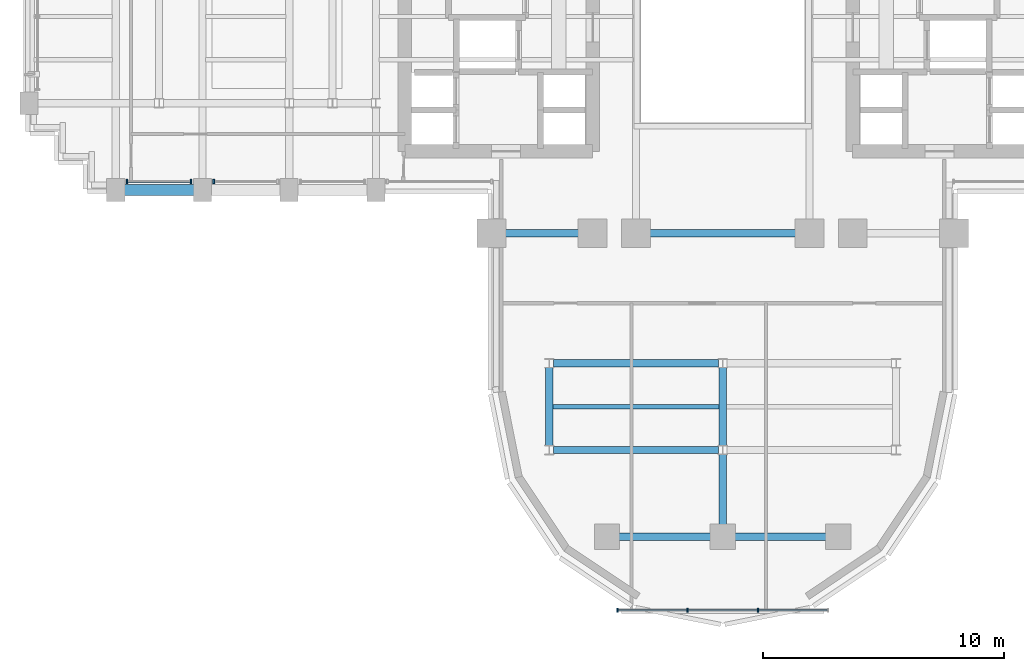
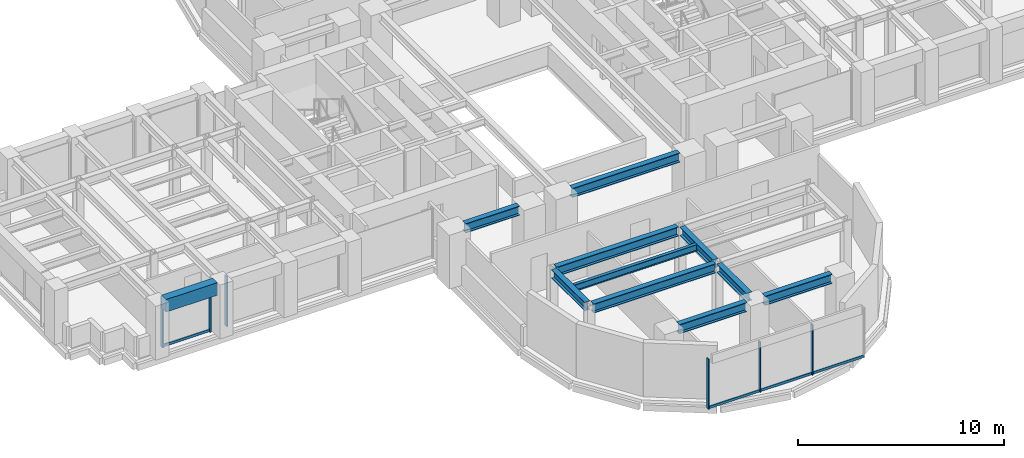
# One storey, part 3 of 16: 11 beams, 10 members, 3 elements without a shape of their own.
"""IFC4 building model written with IfcOpenShell, lengths in metres."""

from ifc_helpers import new_model, si_unit, direction, frame, origin, origin_2d, place, context, subcontext, project, spatial, rectangle, i_section, extrude, source, transform, mapped, material, material_profile, profile_set, type_object, element, aggregate, save


model = new_model("IFC4")

# Units and contexts
model_context = context("Model", 3, precision=1e-05, world=origin(), true_north=direction((0.0, 1.0)))
body_context = subcontext(model_context, "Body", "Model", "MODEL_VIEW")
ifc_project = project(units=[si_unit("LENGTHUNIT", "METRE"), si_unit("AREAUNIT", "SQUARE_METRE"), si_unit("VOLUMEUNIT", "CUBIC_METRE"), si_unit("PLANEANGLEUNIT", "RADIAN"), si_unit("MASSUNIT", "GRAM", prefix="KILO")], contexts=[model_context])

# Site, building, storey
site_placement = place(None, origin())
site = spatial("IfcSite", under=ifc_project, at=site_placement, CompositionType="ELEMENT")
building_placement = place(site_placement, origin())
building = spatial("IfcBuilding", under=site, at=building_placement, Name="Keilestroom Media Tower", CompositionType="ELEMENT")
storey_placement = place(building_placement, frame((0.0, 0.0, 51.0)))
storey = spatial("IfcBuildingStorey", under=building, at=storey_placement, Name="L12", CompositionType="ELEMENT", Elevation=51.0)

# Beams
ifc_material_1 = material(Name="Steel S355", Category="steel")
ifc_material_profile_1 = material_profile(ifc_material_1, i_section(OverallWidth=0.300048828125, OverallDepth=0.550048828125, WebThickness=0.012939453125, FlangeThickness=0.029052734375, at=origin_2d()), Name="HEB 550")
ifc_profile_set_1 = profile_set([ifc_material_profile_1], Name="Steel S355")
beam_type_1 = type_object("IfcBeamType", Name="Primary-Structural-Girder-HEB-550", PredefinedType="BEAM", material=ifc_profile_set_1)
shared_shape_1 = source(origin(), body_context, "Body", "SweptSolid", [
    extrude(i_section(OverallWidth=0.300048828125, OverallDepth=0.550048828125, WebThickness=0.012939453125, FlangeThickness=0.029052734375, at=origin_2d()), origin(), (0.0, 0.0, 1.0), 3.7900390625),
])
for number, where, z_axis, x_axis, name in (
    (1, (-4.294921875, -21.60009765625, 2.925048828125), (1.0, 0.0, 0.0), (0.0, 1.0, 0.0), "L12 Beam BG-5 BM-L12-EW-001"),
    (2, (0.5048828125, -21.60009765625, 2.925048828125), (1.0, 0.0, 0.0), (0.0, 1.0, 0.0), "L12 Beam BG-5 BM-L12-EW-002"),
):
    element("IfcBeam", number, at=place(storey_placement, frame(where, z_axis=z_axis, x_axis=x_axis)), inside=storey, type_object=beam_type_1, Name=name, PredefinedType="BEAM", context=body_context, shape_type="MappedRepresentation", body=[
        mapped(shared_shape_1, transform((0.0, 0.0, 0.0), x_axis=(1.0, 0.0, 0.0), y_axis=(0.0, 1.0, 0.0), z_axis=(0.0, 0.0, 1.0), scale=1.0)),
    ])
shared_shape_2 = source(origin(), body_context, "Body", "SweptSolid", [
    extrude(i_section(OverallWidth=0.300048828125, OverallDepth=0.550048828125, WebThickness=0.012939453125, FlangeThickness=0.029052734375, at=origin_2d()), origin(), (0.0, 0.0, 1.0), 6.836181640625),
])
for number, where, z_axis, x_axis, name in (
    (3, (-7.01806640625, -18.0, 2.925048828125), (1.0, 0.0, 0.0), (0.0, 1.0, 0.0), "L12 Beam BG-5 BM-L12-EW-003"),
    (4, (-7.01806640625, -14.39990234375, 2.925048828125), (1.0, 0.0, 0.0), (0.0, 1.0, 0.0), "L12 Beam BG-5 BM-L12-EW-005"),
):
    element("IfcBeam", number, at=place(storey_placement, frame(where, z_axis=z_axis, x_axis=x_axis)), inside=storey, type_object=beam_type_1, Name=name, PredefinedType="BEAM", context=body_context, shape_type="MappedRepresentation", body=[
        mapped(shared_shape_2, transform((0.0, 0.0, 0.0), x_axis=(1.0, 0.0, 0.0), y_axis=(0.0, 1.0, 0.0), z_axis=(0.0, 0.0, 1.0), scale=1.0)),
    ])
shared_shape_3 = source(origin(), body_context, "Body", "SweptSolid", [
    extrude(i_section(OverallWidth=0.300048828125, OverallDepth=0.550048828125, WebThickness=0.012939453125, FlangeThickness=0.029052734375, at=origin_2d()), origin(), (0.0, 0.0, 1.0), 3.0400390625),
])
beam_1_placement = place(storey_placement, frame((-9.02001953125, -9.0, 2.925048828125), z_axis=(1.0, 0.0, 0.0), x_axis=(0.0, 1.0, 0.0)))
element("IfcBeam", 5, at=beam_1_placement, inside=storey, type_object=beam_type_1, Name="L12 Beam BG-5 BM-L12-EW-007", PredefinedType="BEAM", context=body_context, shape_type="MappedRepresentation", body=[
    mapped(shared_shape_3, transform((0.0, 0.0, 0.0), x_axis=(1.0, 0.0, 0.0), y_axis=(0.0, 1.0, 0.0), z_axis=(0.0, 0.0, 1.0), scale=1.0)),
])
shared_shape_4 = source(origin(), body_context, "Body", "SweptSolid", [
    extrude(i_section(OverallWidth=0.300048828125, OverallDepth=0.550048828125, WebThickness=0.012939453125, FlangeThickness=0.029052734375, at=origin_2d()), origin(), (0.0, 0.0, 1.0), 6.0400390625),
])
beam_2_placement = place(storey_placement, frame((-3.02001953125, -9.0, 2.925048828125), z_axis=(1.0, 0.0, 0.0), x_axis=(0.0, 1.0, 0.0)))
element("IfcBeam", 6, at=beam_2_placement, inside=storey, type_object=beam_type_1, Name="L12 Beam BG-5 BM-L12-EW-009", PredefinedType="BEAM", context=body_context, shape_type="MappedRepresentation", body=[
    mapped(shared_shape_4, transform((0.0, 0.0, 0.0), x_axis=(1.0, 0.0, 0.0), y_axis=(0.0, 1.0, 0.0), z_axis=(0.0, 0.0, 1.0), scale=1.0)),
])
ifc_material_2 = material(Name="Precast concrete C40/50", Category="concrete")
ifc_material_profile_2 = material_profile(ifc_material_2, rectangle(XDim=0.449951171875, YDim=0.75, at=origin_2d()), Name="PC 450x750")
ifc_profile_set_2 = profile_set([ifc_material_profile_2], Name="Precast concrete C40/50")
beam_type_2 = type_object("IfcBeamType", Name="Perimeter-Spandrel-Beam-PC-450x750", PredefinedType="SPANDREL", material=ifc_profile_set_2)
shared_shape_5 = source(origin(), body_context, "Body", "SweptSolid", [
    extrude(rectangle(XDim=0.449951171875, YDim=0.75, at=origin_2d()), origin(), (0.0, 0.0, 1.0), 2.889892578125),
])
beam_3_placement = place(storey_placement, frame((-24.844970703125, -7.199951171875, 2.824951171875), z_axis=(1.0, 0.0, 0.0), x_axis=(0.0, 1.0, 0.0)))
element("IfcBeam", 7, at=beam_3_placement, inside=storey, type_object=beam_type_2, Name="L12 Beam SPB-1 BM-L12-EW-012", PredefinedType="SPANDREL", context=body_context, shape_type="MappedRepresentation", body=[
    mapped(shared_shape_5, transform((0.0, 0.0, 0.0), x_axis=(1.0, 0.0, 0.0), y_axis=(0.0, 1.0, 0.0), z_axis=(0.0, 0.0, 1.0), scale=1.0)),
])
ifc_material_profile_3 = material_profile(ifc_material_1, i_section(OverallWidth=0.300048828125, OverallDepth=0.5, WebThickness=0.012451171875, FlangeThickness=0.028076171875, at=origin_2d()), Name="HEB 500")
ifc_profile_set_3 = profile_set([ifc_material_profile_3], Name="Steel S355")
beam_type_3 = type_object("IfcBeamType", Name="Primary-Structural-Girder-HEB-500", PredefinedType="BEAM", material=ifc_profile_set_3)
shared_shape_6 = source(origin(), body_context, "Body", "SweptSolid", [
    extrude(i_section(OverallWidth=0.300048828125, OverallDepth=0.5, WebThickness=0.012451171875, FlangeThickness=0.028076171875, at=origin_2d()), origin(), (0.0, 0.0, 1.0), 3.23291015625),
])
for number, where, z_axis, x_axis, name in (
    (8, (-7.199951171875, -17.81640625, 2.949951171875), (0.0, 1.0, 0.0), (-1.0, 0.0, 0.0), "L12 Beam BG-6 BM-L12-NS-063"),
    (9, (0.0, -17.81640625, 2.949951171875), (0.0, 1.0, 0.0), (-1.0, 0.0, 0.0), "L12 Beam BG-6 BM-L12-NS-068"),
):
    element("IfcBeam", number, at=place(storey_placement, frame(where, z_axis=z_axis, x_axis=x_axis)), inside=storey, type_object=beam_type_3, Name=name, PredefinedType="BEAM", context=body_context, shape_type="MappedRepresentation", body=[
        mapped(shared_shape_6, transform((0.0, 0.0, 0.0), x_axis=(1.0, 0.0, 0.0), y_axis=(0.0, 1.0, 0.0), z_axis=(0.0, 0.0, 1.0), scale=1.0)),
    ])
shared_shape_7 = source(origin(), body_context, "Body", "SweptSolid", [
    extrude(i_section(OverallWidth=0.300048828125, OverallDepth=0.5, WebThickness=0.012451171875, FlangeThickness=0.028076171875, at=origin_2d()), origin(), (0.0, 0.0, 1.0), 2.911376953125),
])
beam_4_placement = place(storey_placement, frame((0.0, -21.094970703125, 2.949951171875), z_axis=(0.0, 1.0, 0.0), x_axis=(-1.0, 0.0, 0.0)))
element("IfcBeam", 10, at=beam_4_placement, inside=storey, type_object=beam_type_3, Name="L12 Beam BG-6 BM-L12-NS-067", PredefinedType="BEAM", context=body_context, shape_type="MappedRepresentation", body=[
    mapped(shared_shape_7, transform((0.0, 0.0, 0.0), x_axis=(1.0, 0.0, 0.0), y_axis=(0.0, 1.0, 0.0), z_axis=(0.0, 0.0, 1.0), scale=1.0)),
])
ifc_material_profile_4 = material_profile(ifc_material_1, i_section(OverallWidth=0.179931640625, OverallDepth=0.39990234375, WebThickness=0.008544921875, FlangeThickness=0.013427734375, at=origin_2d()), Name="IPE 400")
ifc_profile_set_4 = profile_set([ifc_material_profile_4], Name="Steel S355")
beam_type_4 = type_object("IfcBeamType", Name="Secondary-Floor-Joist-IPE-400", PredefinedType="JOIST", material=ifc_profile_set_4)
shared_shape_8 = source(origin(), body_context, "Body", "SweptSolid", [
    extrude(i_section(OverallWidth=0.179931640625, OverallDepth=0.39990234375, WebThickness=0.008544921875, FlangeThickness=0.013427734375, at=origin_2d()), origin(), (0.0, 0.0, 1.0), 6.940185546875),
])
beam_5_placement = place(storey_placement, frame((-7.070068359375, -16.199951171875, 3.0), z_axis=(1.0, 0.0, 0.0), x_axis=(0.0, 1.0, 0.0)))
element("IfcBeam", 11, at=beam_5_placement, inside=storey, type_object=beam_type_4, Name="L12 Beam BJ-4 JST-L12-087", PredefinedType="JOIST", context=body_context, shape_type="MappedRepresentation", body=[
    mapped(shared_shape_8, transform((0.0, 0.0, 0.0), x_axis=(1.0, 0.0, 0.0), y_axis=(0.0, 1.0, 0.0), z_axis=(0.0, 0.0, 1.0), scale=1.0)),
])

# Curtain wall, members
ifc_material_3 = material(Name="Anodised Aluminium Alloy", Category="aluminium")
curtain_wall_type_1 = type_object("IfcCurtainWallType", Name="Unitised-Curtain-Wall-CW-1", PredefinedType="NOTDEFINED", material=ifc_material_3)
curtain_wall_1_placement = place(storey_placement, origin())
curtain_wall_1 = element("IfcCurtainWall", 12, at=curtain_wall_1_placement, inside=storey, type_object=curtain_wall_type_1, Name="L12 Curtain Wall CW-1 CW-L12-SW-1", PredefinedType="NOTDEFINED")
ifc_material_profile_5 = material_profile(ifc_material_3, rectangle(XDim=0.070068359375, YDim=0.199951171875, at=origin_2d()), Name="ALU MULLION 70x200")
ifc_profile_set_5 = profile_set([ifc_material_profile_5], Name="Anodised Aluminium Alloy")
member_type_1 = type_object("IfcMemberType", Name="Curtain-Wall-Mullion-CW-1", PredefinedType="MULLION", material=ifc_profile_set_5)
shared_shape_9 = source(origin(), body_context, "Body", "SweptSolid", [
    extrude(rectangle(XDim=0.070068359375, YDim=0.199951171875, at=origin_2d()), origin(), (0.0, 0.0, 1.0), 2.97998046875),
])
member_1_placement = place(storey_placement, frame((-24.72998046875, -6.85009765625, 0.0), z_axis=(0.0, 0.0, 1.0), x_axis=(1.0, 0.0, 0.0)))
member_1 = element("IfcMember", 13, at=member_1_placement, type_object=member_type_1, Name="CW-1 Mullion 00", PredefinedType="MULLION", context=body_context, shape_type="MappedRepresentation", body=[
    mapped(shared_shape_9, transform((0.0, 0.0, 0.0), x_axis=(1.0, 0.0, 0.0), y_axis=(0.0, 1.0, 0.0), z_axis=(0.0, 0.0, 1.0), scale=1.0)),
])
member_2_placement = place(storey_placement, frame((-22.070068359375, -6.85009765625, 0.0), z_axis=(0.0, 0.0, 1.0), x_axis=(1.0, 0.0, 0.0)))
member_2 = element("IfcMember", 14, at=member_2_placement, type_object=member_type_1, Name="CW-1 Mullion 01", PredefinedType="MULLION", context=body_context, shape_type="MappedRepresentation", body=[
    mapped(shared_shape_9, transform((0.0, 0.0, 0.0), x_axis=(1.0, 0.0, 0.0), y_axis=(0.0, 1.0, 0.0), z_axis=(0.0, 0.0, 1.0), scale=1.0)),
])

# Curtain wall, member
curtain_wall_2_placement = place(storey_placement, origin())
curtain_wall_2 = element("IfcCurtainWall", 15, at=curtain_wall_2_placement, inside=storey, type_object=curtain_wall_type_1, Name="L12 Curtain Wall CW-1 CW-L12-SW-2", PredefinedType="NOTDEFINED")
member_3_placement = place(storey_placement, frame((-21.1298828125, -6.85009765625, 0.0), z_axis=(0.0, 0.0, 1.0), x_axis=(1.0, 0.0, 0.0)))
member_3 = element("IfcMember", 16, at=member_3_placement, type_object=member_type_1, Name="CW-1 Mullion 00", PredefinedType="MULLION", context=body_context, shape_type="MappedRepresentation", body=[
    mapped(shared_shape_9, transform((0.0, 0.0, 0.0), x_axis=(1.0, 0.0, 0.0), y_axis=(0.0, 1.0, 0.0), z_axis=(0.0, 0.0, 1.0), scale=1.0)),
])
aggregate(curtain_wall_2, [member_3])

# Member
ifc_material_profile_6 = material_profile(ifc_material_3, rectangle(XDim=0.06494140625, YDim=0.14990234375, at=origin_2d()), Name="ALU TRANSOM 65x150")
ifc_profile_set_6 = profile_set([ifc_material_profile_6], Name="Anodised Aluminium Alloy")
member_type_2 = type_object("IfcMemberType", Name="Curtain-Wall-Transom-CW-1", PredefinedType="USERDEFINED", material=ifc_profile_set_6)
shared_shape_10 = source(origin(), body_context, "Body", "SweptSolid", [
    extrude(rectangle(XDim=0.06494140625, YDim=0.14990234375, at=origin_2d()), origin(), (0.0, 0.0, 1.0), 2.593994140625),
])
member_4_placement = place(storey_placement, frame((-24.697021484375, -6.85009765625, 0.074951171875), z_axis=(1.0, 0.0, 0.0), x_axis=(0.0, 1.0, 0.0)))
member_4 = element("IfcMember", 17, at=member_4_placement, type_object=member_type_2, Name="CW-1 Transom 00.1", ObjectType="TRANSOM", PredefinedType="USERDEFINED", context=body_context, shape_type="MappedRepresentation", body=[
    mapped(shared_shape_10, transform((0.0, 0.0, 0.0), x_axis=(1.0, 0.0, 0.0), y_axis=(0.0, 1.0, 0.0), z_axis=(0.0, 0.0, 1.0), scale=1.0)),
])

aggregate(curtain_wall_1, [member_1, member_2, member_4])

# Curtain wall, members
curtain_wall_type_2 = type_object("IfcCurtainWallType", Name="Unitised-Curtain-Wall-CW-6", PredefinedType="NOTDEFINED", material=ifc_material_3)
curtain_wall_3_placement = place(storey_placement, origin())
curtain_wall_3 = element("IfcCurtainWall", 18, at=curtain_wall_3_placement, inside=storey, type_object=curtain_wall_type_2, Name="L12 Curtain Wall CW-6 CW-L12-LS-1", PredefinedType="NOTDEFINED")
ifc_material_profile_7 = material_profile(ifc_material_3, rectangle(XDim=0.06494140625, YDim=0.179931640625, at=origin_2d()), Name="ALU MULLION 65x180")
ifc_profile_set_7 = profile_set([ifc_material_profile_7], Name="Anodised Aluminium Alloy")
member_type_3 = type_object("IfcMemberType", Name="Curtain-Wall-Mullion-CW-6", PredefinedType="MULLION", material=ifc_profile_set_7)
shared_shape_11 = source(origin(), body_context, "Body", "SweptSolid", [
    extrude(rectangle(XDim=0.06494140625, YDim=0.179931640625, at=origin_2d()), origin(), (0.0, 0.0, 1.0), 2.97998046875),
])
member_5_placement = place(storey_placement, frame((-4.367431640625, -24.64990234375, 0.0), z_axis=(0.0, 0.0, 1.0), x_axis=(1.0, 0.0, 0.0)))
member_5 = element("IfcMember", 19, at=member_5_placement, type_object=member_type_3, Name="CW-6 Mullion 00", PredefinedType="MULLION", context=body_context, shape_type="MappedRepresentation", body=[
    mapped(shared_shape_11, transform((0.0, 0.0, 0.0), x_axis=(1.0, 0.0, 0.0), y_axis=(0.0, 1.0, 0.0), z_axis=(0.0, 0.0, 1.0), scale=1.0)),
])
member_6_placement = place(storey_placement, frame((-1.466796875, -24.64990234375, 0.0), z_axis=(0.0, 0.0, 1.0), x_axis=(1.0, 0.0, 0.0)))
member_6 = element("IfcMember", 20, at=member_6_placement, type_object=member_type_3, Name="CW-6 Mullion 01", PredefinedType="MULLION", context=body_context, shape_type="MappedRepresentation", body=[
    mapped(shared_shape_11, transform((0.0, 0.0, 0.0), x_axis=(1.0, 0.0, 0.0), y_axis=(0.0, 1.0, 0.0), z_axis=(0.0, 0.0, 1.0), scale=1.0)),
])
member_7_placement = place(storey_placement, frame((1.466796875, -24.64990234375, 0.0), z_axis=(0.0, 0.0, 1.0), x_axis=(1.0, 0.0, 0.0)))
member_7 = element("IfcMember", 21, at=member_7_placement, type_object=member_type_3, Name="CW-6 Mullion 02", PredefinedType="MULLION", context=body_context, shape_type="MappedRepresentation", body=[
    mapped(shared_shape_11, transform((0.0, 0.0, 0.0), x_axis=(1.0, 0.0, 0.0), y_axis=(0.0, 1.0, 0.0), z_axis=(0.0, 0.0, 1.0), scale=1.0)),
])
ifc_material_profile_8 = material_profile(ifc_material_3, rectangle(XDim=0.06494140625, YDim=0.14990234375, at=origin_2d()), Name="ALU TRANSOM 65x150")
ifc_profile_set_8 = profile_set([ifc_material_profile_8], Name="Anodised Aluminium Alloy")
member_type_4 = type_object("IfcMemberType", Name="Curtain-Wall-Transom-CW-6", PredefinedType="USERDEFINED", material=ifc_profile_set_8)
shared_shape_12 = source(origin(), body_context, "Body", "SweptSolid", [
    extrude(rectangle(XDim=0.06494140625, YDim=0.14990234375, at=origin_2d()), origin(), (0.0, 0.0, 1.0), 2.839599609375),
])
member_8_placement = place(storey_placement, frame((-4.3369140625, -24.64990234375, 0.074951171875), z_axis=(1.0, 0.0, 0.0), x_axis=(0.0, 1.0, 0.0)))
member_8 = element("IfcMember", 22, at=member_8_placement, type_object=member_type_4, Name="CW-6 Transom 00.1", ObjectType="TRANSOM", PredefinedType="USERDEFINED", context=body_context, shape_type="MappedRepresentation", body=[
    mapped(shared_shape_12, transform((0.0, 0.0, 0.0), x_axis=(1.0, 0.0, 0.0), y_axis=(0.0, 1.0, 0.0), z_axis=(0.0, 0.0, 1.0), scale=1.0)),
])
member_9_placement = place(storey_placement, frame((1.497314453125, -24.64990234375, 0.074951171875), z_axis=(1.0, 0.0, 0.0), x_axis=(0.0, 1.0, 0.0)))
member_9 = element("IfcMember", 23, at=member_9_placement, type_object=member_type_4, Name="CW-6 Transom 02.1", ObjectType="TRANSOM", PredefinedType="USERDEFINED", context=body_context, shape_type="MappedRepresentation", body=[
    mapped(shared_shape_12, transform((0.0, 0.0, 0.0), x_axis=(1.0, 0.0, 0.0), y_axis=(0.0, 1.0, 0.0), z_axis=(0.0, 0.0, 1.0), scale=1.0)),
])
shared_shape_13 = source(origin(), body_context, "Body", "SweptSolid", [
    extrude(rectangle(XDim=0.06494140625, YDim=0.14990234375, at=origin_2d()), origin(), (0.0, 0.0, 1.0), 2.87255859375),
])
member_10_placement = place(storey_placement, frame((-1.436279296875, -24.64990234375, 0.074951171875), z_axis=(1.0, 0.0, 0.0), x_axis=(0.0, 1.0, 0.0)))
member_10 = element("IfcMember", 24, at=member_10_placement, type_object=member_type_4, Name="CW-6 Transom 01.1", ObjectType="TRANSOM", PredefinedType="USERDEFINED", context=body_context, shape_type="MappedRepresentation", body=[
    mapped(shared_shape_13, transform((0.0, 0.0, 0.0), x_axis=(1.0, 0.0, 0.0), y_axis=(0.0, 1.0, 0.0), z_axis=(0.0, 0.0, 1.0), scale=1.0)),
])
aggregate(curtain_wall_3, [member_5, member_6, member_7, member_8, member_10, member_9])

save(model, "model.ifc")
